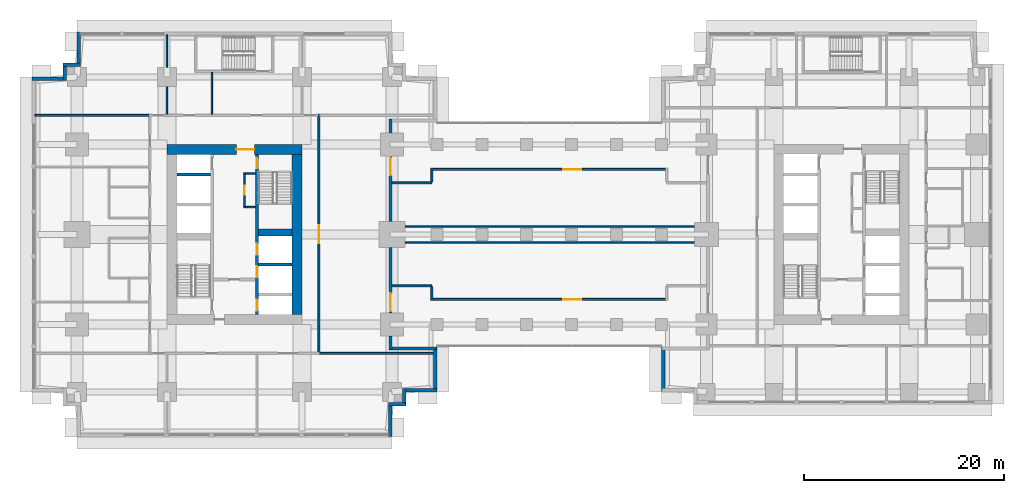
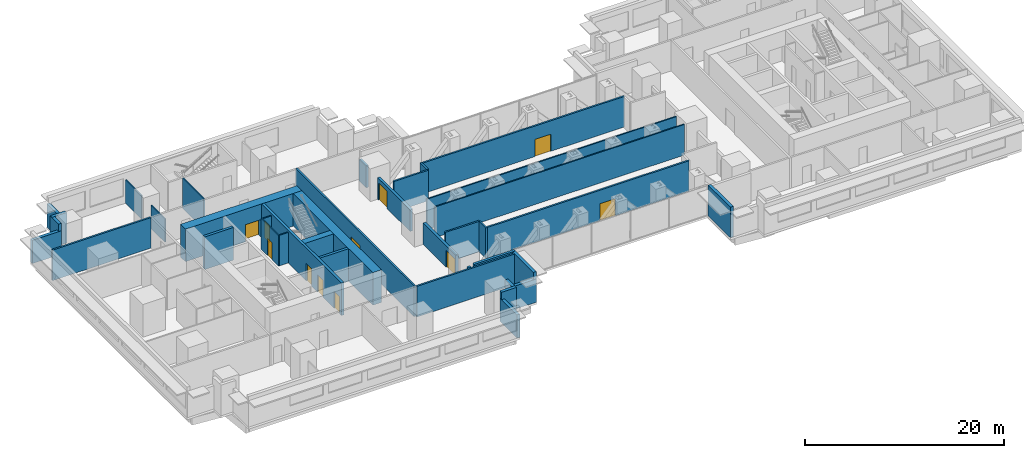
# One storey, part 8 of 15: 38 walls, 11 doors, 11 openings.
"""IFC4 building model written with IfcOpenShell, lengths in metres."""

from ifc_helpers import new_model, si_unit, direction, frame, frame_2d, origin, place, context, subcontext, project, spatial, rectangle, extrude, material, layer, layer_set, type_object, element, fill, save


model = new_model("IFC4")

# Units and contexts
model_context = context("Model", 3, precision=1e-05, world=origin(), true_north=direction((0.0, 1.0)))
body_context = subcontext(model_context, "Body", "Model", "MODEL_VIEW")
ifc_project = project(units=[si_unit("LENGTHUNIT", "METRE"), si_unit("AREAUNIT", "SQUARE_METRE"), si_unit("VOLUMEUNIT", "CUBIC_METRE"), si_unit("PLANEANGLEUNIT", "RADIAN"), si_unit("MASSUNIT", "GRAM", prefix="KILO")], contexts=[model_context])

# Site, building, storey
site_placement = place(None, origin())
site = spatial("IfcSite", under=ifc_project, at=site_placement, CompositionType="ELEMENT")
building_placement = place(site_placement, origin())
building = spatial("IfcBuilding", under=site, at=building_placement, Name="Namib Vertical Campus", CompositionType="ELEMENT")
storey_placement = place(building_placement, frame((0.0, 0.0, 109.0)))
storey = spatial("IfcBuildingStorey", under=building, at=storey_placement, Name="L25", CompositionType="ELEMENT", Elevation=109.0)

# Wall, openings, doors
ifc_material_1 = material(Name="Concrete C60/75", Category="concrete")
ifc_layer_1 = layer(ifc_material_1, 0.300048828125)
ifc_layer_set_1 = layer_set([ifc_layer_1], Name="Concrete C60/75")
wall_type_1 = type_object("IfcWallType", Name="Core inner wall 300", PredefinedType="SHEAR", material=ifc_layer_set_1)
wall_1_placement = place(storey_placement, frame((22.5, 12.25, 0.0), z_axis=(0.0, 0.0, 1.0), x_axis=(0.0, 1.0, 0.0)))
wall_1 = element("IfcWall", 1, at=wall_1_placement, inside=storey, type_object=wall_type_1, Name="Core inner wall A L25 W2", PredefinedType="SHEAR", context=body_context, shape_type="SweptSolid", body=[
    extrude(rectangle(XDim=16.0, YDim=0.300048828125, at=frame_2d((8.0, 0.0))), origin(), (0.0, 0.0, 1.0), 4.0),
])
opening_1_placement = place(wall_1_placement, frame((14.60009765625, 0.0, 0.0)))
opening_1 = element("IfcOpeningElement", 2, at=opening_1_placement, cuts=wall_1, Name="Opening FD1", PredefinedType="OPENING", context=body_context, shape_type="SweptSolid", body=[
    extrude(rectangle(XDim=1.0, YDim=2.10009765625, at=frame_2d((0.5, 1.050048828125))), frame((0.0, 0.159912109375, 0.0), z_axis=(0.0, -1.0, 0.0), x_axis=(1.0, 0.0, 0.0)), (0.0, 0.0, 1.0), 0.320068359375),
])
opening_2_placement = place(wall_1_placement, frame((0.375, 0.0, 0.0)))
opening_2 = element("IfcOpeningElement", 3, at=opening_2_placement, cuts=wall_1, Name="Opening LD1", PredefinedType="OPENING", context=body_context, shape_type="SweptSolid", body=[
    extrude(rectangle(XDim=1.10009765625, YDim=2.10009765625, at=frame_2d((0.550048828125, 1.050048828125))), frame((0.0, 0.159912109375, 0.0), z_axis=(0.0, -1.0, 0.0), x_axis=(1.0, 0.0, 0.0)), (0.0, 0.0, 1.0), 0.320068359375),
])
opening_3_placement = place(wall_1_placement, frame((3.699951171875, 0.0, 0.0)))
opening_3 = element("IfcOpeningElement", 4, at=opening_3_placement, cuts=wall_1, Name="Opening LD1", PredefinedType="OPENING", context=body_context, shape_type="SweptSolid", body=[
    extrude(rectangle(XDim=1.10009765625, YDim=2.10009765625, at=frame_2d((0.550048828125, 1.050048828125))), frame((0.0, 0.159912109375, 0.0), z_axis=(0.0, -1.0, 0.0), x_axis=(1.0, 0.0, 0.0)), (0.0, 0.0, 1.0), 0.320068359375),
])
opening_4_placement = place(wall_1_placement, frame((5.949951171875, 0.0, 0.0)))
opening_4 = element("IfcOpeningElement", 5, at=opening_4_placement, cuts=wall_1, Name="Opening LD1", PredefinedType="OPENING", context=body_context, shape_type="SweptSolid", body=[
    extrude(rectangle(XDim=1.10009765625, YDim=2.10009765625, at=frame_2d((0.550048828125, 1.050048828125))), frame((0.0, 0.159912109375, 0.0), z_axis=(0.0, -1.0, 0.0), x_axis=(1.0, 0.0, 0.0)), (0.0, 0.0, 1.0), 0.320068359375),
])
ifc_material_2 = material(Name="Steel fire door", Category="steel")
door_type_1 = type_object("IfcDoorType", Name="Fire door 1000x2100", OperationType="SINGLE_SWING_RIGHT", PredefinedType="DOOR", material=ifc_material_2)
door_1_placement = place(opening_1_placement, frame((1.0, 0.0, 0.0), z_axis=(0.0, 0.0, 1.0), x_axis=(-1.0, 0.0, 0.0)))
door_1 = element("IfcDoor", 6, at=door_1_placement, inside=storey, type_object=door_type_1, Name="Stair door FD1 A L25 S2", OperationType="SINGLE_SWING_LEFT", OverallHeight=2.10009765625, OverallWidth=1.0, PredefinedType="DOOR", context=body_context, shape_type="SweptSolid", body=[
    extrude(rectangle(XDim=1.0, YDim=2.10009765625, at=frame_2d((0.5, 1.050048828125))), frame((0.0, 0.02490234375, 0.0), z_axis=(0.0, -1.0, 0.0), x_axis=(1.0, 0.0, 0.0)), (0.0, 0.0, 1.0), 0.050048828125),
])
fill(opening_1, door_1)
ifc_material_3 = material(Name="Stainless steel lift door", Category="steel")
door_type_2 = type_object("IfcDoorType", Name="Lift landing door 1100x2100", OperationType="DOUBLE_DOOR_SLIDING", PredefinedType="DOOR", material=ifc_material_3)
door_2_placement = place(opening_2_placement, origin())
door_2 = element("IfcDoor", 7, at=door_2_placement, inside=storey, type_object=door_type_2, Name="Lift landing door LD1 A-FL1 L25", OperationType="DOUBLE_DOOR_SLIDING", OverallHeight=2.10009765625, OverallWidth=1.10009765625, PredefinedType="DOOR", context=body_context, shape_type="SweptSolid", body=[
    extrude(rectangle(XDim=1.10009765625, YDim=2.10009765625, at=frame_2d((0.550048828125, 1.050048828125))), frame((0.0, 0.02490234375, 0.0), z_axis=(0.0, -1.0, 0.0), x_axis=(1.0, 0.0, 0.0)), (0.0, 0.0, 1.0), 0.050048828125),
])
fill(opening_2, door_2)
door_3_placement = place(opening_3_placement, origin())
door_3 = element("IfcDoor", 8, at=door_3_placement, inside=storey, type_object=door_type_2, Name="Lift landing door LD1 A-P4 L25", OperationType="DOUBLE_DOOR_SLIDING", OverallHeight=2.10009765625, OverallWidth=1.10009765625, PredefinedType="DOOR", context=body_context, shape_type="SweptSolid", body=[
    extrude(rectangle(XDim=1.10009765625, YDim=2.10009765625, at=frame_2d((0.550048828125, 1.050048828125))), frame((0.0, 0.02490234375, 0.0), z_axis=(0.0, -1.0, 0.0), x_axis=(1.0, 0.0, 0.0)), (0.0, 0.0, 1.0), 0.050048828125),
])
fill(opening_3, door_3)
door_4_placement = place(opening_4_placement, origin())
door_4 = element("IfcDoor", 9, at=door_4_placement, inside=storey, type_object=door_type_2, Name="Lift landing door LD1 A-P5 L25", OperationType="DOUBLE_DOOR_SLIDING", OverallHeight=2.10009765625, OverallWidth=1.10009765625, PredefinedType="DOOR", context=body_context, shape_type="SweptSolid", body=[
    extrude(rectangle(XDim=1.10009765625, YDim=2.10009765625, at=frame_2d((0.550048828125, 1.050048828125))), frame((0.0, 0.02490234375, 0.0), z_axis=(0.0, -1.0, 0.0), x_axis=(1.0, 0.0, 0.0)), (0.0, 0.0, 1.0), 0.050048828125),
])
fill(opening_4, door_4)

# Walls
for number, where, z_axis, x_axis, name in (
    (10, (22.64990234375, 17.25, 0.0), (0.0, 0.0, 1.0), (1.0, 0.0, 0.0), "Core inner wall A L25 W6"),
    (11, (14.5, 26.25, 0.0), (0.0, 0.0, 1.0), (1.0, 0.0, 0.0), "Core inner wall A L25 W9"),
):
    element("IfcWall", number, at=place(storey_placement, frame(where, z_axis=z_axis, x_axis=x_axis)), inside=storey, type_object=wall_type_1, Name=name, PredefinedType="SHEAR", context=body_context, shape_type="SweptSolid", body=[
        extrude(rectangle(XDim=3.35009765625, YDim=0.300048828125, at=frame_2d((1.675048828125, 0.0))), origin(), (0.0, 0.0, 1.0), 4.0),
    ])
ifc_material_4 = material(Name="Concrete C60/75", Category="concrete")
ifc_layer_2 = layer(ifc_material_4, 0.699951171875)
ifc_layer_set_2 = layer_set([ifc_layer_2], Name="Concrete C60/75")
wall_type_2 = type_object("IfcWallType", Name="Core shear wall 700", PredefinedType="SHEAR", material=ifc_layer_set_2)
wall_2_placement = place(storey_placement, frame((22.64990234375, 20.449951171875, 0.0), z_axis=(0.0, 0.0, 1.0), x_axis=(1.0, 0.0, 0.0)))
element("IfcWall", 12, at=wall_2_placement, inside=storey, type_object=wall_type_2, Name="Core shear wall A L25 W7", PredefinedType="SHEAR", context=body_context, shape_type="SweptSolid", body=[
    extrude(rectangle(XDim=3.35009765625, YDim=0.699951171875, at=frame_2d((1.675048828125, 0.0))), origin(), (0.0, 0.0, 1.0), 4.0),
])
ifc_material_5 = material(Name="Concrete C60/75", Category="concrete")
ifc_layer_3 = layer(ifc_material_5, 1.0)
ifc_layer_set_3 = layer_set([ifc_layer_3], Name="Concrete C60/75")
wall_type_3 = type_object("IfcWallType", Name="Core wall 1000", PredefinedType="SHEAR", material=ifc_layer_set_3)
wall_3_placement = place(storey_placement, frame((26.5, 12.25, 0.0), z_axis=(0.0, 0.0, 1.0), x_axis=(0.0, 1.0, 0.0)))
element("IfcWall", 13, at=wall_3_placement, inside=storey, type_object=wall_type_3, Name="Core wall A L25 2", PredefinedType="SHEAR", context=body_context, shape_type="SweptSolid", body=[
    extrude(rectangle(XDim=16.0, YDim=1.0, at=frame_2d((8.0, 0.0))), origin(), (0.0, 0.0, 1.0), 4.0),
])

# Wall, opening, door
wall_4_placement = place(storey_placement, frame((27.0, 28.75, 0.0), z_axis=(0.0, 0.0, 1.0), x_axis=(-1.0, 0.0, 0.0)))
wall_4 = element("IfcWall", 14, at=wall_4_placement, inside=storey, type_object=wall_type_3, Name="Core wall A L25 3", PredefinedType="SHEAR", context=body_context, shape_type="SweptSolid", body=[
    extrude(rectangle(XDim=13.5, YDim=1.0, at=frame_2d((6.75, 0.0))), origin(), (0.0, 0.0, 1.0), 4.0),
])
opening_5_placement = place(wall_4_placement, frame((4.75, 0.0, 0.0)))
opening_5 = element("IfcOpeningElement", 15, at=opening_5_placement, cuts=wall_4, Name="Opening FD2", PredefinedType="OPENING", context=body_context, shape_type="SweptSolid", body=[
    extrude(rectangle(XDim=1.800048828125, YDim=2.10009765625, at=frame_2d((0.89990234375, 1.050048828125))), frame((0.0, 0.510009765625, 0.0), z_axis=(0.0, -1.0, 0.0), x_axis=(1.0, 0.0, 0.0)), (0.0, 0.0, 1.0), 1.02001953125),
])
ifc_material_6 = material(Name="Steel fire door", Category="steel")
door_type_3 = type_object("IfcDoorType", Name="Fire door double 1800x2100", OperationType="DOUBLE_DOOR_SINGLE_SWING", PredefinedType="DOOR", material=ifc_material_6)
door_5_placement = place(opening_5_placement, origin())
door_5 = element("IfcDoor", 16, at=door_5_placement, inside=storey, type_object=door_type_3, Name="Lift lobby door FD2 A L25", OperationType="DOUBLE_DOOR_SINGLE_SWING", OverallHeight=2.10009765625, OverallWidth=1.800048828125, PredefinedType="DOOR", context=body_context, shape_type="SweptSolid", body=[
    extrude(rectangle(XDim=1.800048828125, YDim=2.10009765625, at=frame_2d((0.89990234375, 1.050048828125))), frame((0.0, 0.02490234375, 0.0), z_axis=(0.0, -1.0, 0.0), x_axis=(1.0, 0.0, 0.0)), (0.0, 0.0, 1.0), 0.050048828125),
])
fill(opening_5, door_5)

ifc_material_7 = material(Name="Concrete masonry", Category="masonry")
ifc_layer_4 = layer(ifc_material_7, 0.199951171875)
ifc_layer_set_4 = layer_set([ifc_layer_4], Name="Corridor wall 200")
wall_type_4 = type_object("IfcWallType", Name="Corridor wall 200", PredefinedType="SOLIDWALL", material=ifc_layer_set_4)
wall_5_placement = place(storey_placement, frame((28.699951171875, 8.449951171875, 0.0), z_axis=(0.0, 0.0, 1.0), x_axis=(0.0, 1.0, 0.0)))
wall_5 = element("IfcWall", 17, at=wall_5_placement, inside=storey, type_object=wall_type_4, Name="Corridor wall A L25 CE", PredefinedType="SOLIDWALL", context=body_context, shape_type="SweptSolid", body=[
    extrude(rectangle(XDim=23.800048828125, YDim=0.199951171875, at=frame_2d((11.89990234375, 0.0))), origin(), (0.0, 0.0, 1.0), 3.75),
])
opening_6_placement = place(wall_5_placement, frame((10.89990234375, 0.0, 0.0)))
opening_6 = element("IfcOpeningElement", 18, at=opening_6_placement, cuts=wall_5, Name="Opening FD2", PredefinedType="OPENING", context=body_context, shape_type="SweptSolid", body=[
    extrude(rectangle(XDim=1.800048828125, YDim=2.10009765625, at=frame_2d((0.89990234375, 1.050048828125))), frame((0.0, 0.10986328125, 0.0), z_axis=(0.0, -1.0, 0.0), x_axis=(1.0, 0.0, 0.0)), (0.0, 0.0, 1.0), 0.219970703125),
])
door_6_placement = place(opening_6_placement, origin())
door_6 = element("IfcDoor", 19, at=door_6_placement, inside=storey, type_object=door_type_3, Name="Door FD2 A25-04", OperationType="DOUBLE_DOOR_SINGLE_SWING", OverallHeight=2.10009765625, OverallWidth=1.800048828125, PredefinedType="DOOR", context=body_context, shape_type="SweptSolid", body=[
    extrude(rectangle(XDim=1.800048828125, YDim=2.10009765625, at=frame_2d((0.89990234375, 1.050048828125))), frame((0.0, 0.02490234375, 0.0), z_axis=(0.0, -1.0, 0.0), x_axis=(1.0, 0.0, 0.0)), (0.0, 0.0, 1.0), 0.050048828125),
])
fill(opening_6, door_6)

# Walls
for number, where, z_axis, x_axis, name in (
    (20, (28.800048828125, 8.35009765625, 0.0), (0.0, 0.0, 1.0), (1.0, 0.0, 0.0), "Partition A L25 BSE"),
    (21, (0.300048828125, 32.14990234375, 0.0), (0.0, 0.0, 1.0), (1.0, 0.0, 0.0), "Partition A L25 BNW"),
):
    element("IfcWall", number, at=place(storey_placement, frame(where, z_axis=z_axis, x_axis=x_axis)), inside=storey, type_object=wall_type_4, Name=name, PredefinedType="SOLIDWALL", context=body_context, shape_type="SweptSolid", body=[
        extrude(rectangle(XDim=11.39990234375, YDim=0.199951171875, at=frame_2d((5.699951171875, 0.0))), origin(), (0.0, 0.0, 1.0), 3.75),
    ])

# Wall, opening, door
wall_6_placement = place(storey_placement, frame((40.0, 13.75, 0.0), z_axis=(0.0, 0.0, 1.0), x_axis=(1.0, 0.0, 0.0)))
wall_6 = element("IfcWall", 22, at=wall_6_placement, inside=storey, type_object=wall_type_4, Name="Corridor wall L25", PredefinedType="SOLIDWALL", context=body_context, shape_type="SweptSolid", body=[
    extrude(rectangle(XDim=23.5, YDim=0.199951171875, at=frame_2d((11.75, 0.0))), origin(), (0.0, 0.0, 1.0), 3.75),
])
opening_7_placement = place(wall_6_placement, frame((13.14990234375, 0.0, 0.0)))
opening_7 = element("IfcOpeningElement", 23, at=opening_7_placement, cuts=wall_6, Name="Opening CD2", PredefinedType="OPENING", context=body_context, shape_type="SweptSolid", body=[
    extrude(rectangle(XDim=1.800048828125, YDim=2.10009765625, at=frame_2d((0.89990234375, 1.050048828125))), frame((0.0, 0.10986328125, 0.0), z_axis=(0.0, -1.0, 0.0), x_axis=(1.0, 0.0, 0.0)), (0.0, 0.0, 1.0), 0.219970703125),
])
ifc_material_8 = material(Name="Timber fire door leaf", Category="wood")
door_type_4 = type_object("IfcDoorType", Name="Corridor door double 1800x2100 20 min", OperationType="DOUBLE_DOOR_SINGLE_SWING", PredefinedType="DOOR", material=ifc_material_8)
door_7_placement = place(opening_7_placement, origin())
door_7 = element("IfcDoor", 24, at=door_7_placement, inside=storey, type_object=door_type_4, Name="Door CD2 BR25-03", OperationType="DOUBLE_DOOR_SINGLE_SWING", OverallHeight=2.10009765625, OverallWidth=1.800048828125, PredefinedType="DOOR", context=body_context, shape_type="SweptSolid", body=[
    extrude(rectangle(XDim=1.800048828125, YDim=2.10009765625, at=frame_2d((0.89990234375, 1.050048828125))), frame((0.0, 0.02490234375, 0.0), z_axis=(0.0, -1.0, 0.0), x_axis=(1.0, 0.0, 0.0)), (0.0, 0.0, 1.0), 0.050048828125),
])
fill(opening_7, door_7)

# Walls
wall_7_placement = place(storey_placement, frame((36.0, 15.10009765625, 0.0), z_axis=(0.0, 0.0, 1.0), x_axis=(1.0, 0.0, 0.0)))
element("IfcWall", 25, at=wall_7_placement, inside=storey, type_object=wall_type_4, Name="Lobby wall L25 W", PredefinedType="SOLIDWALL", context=body_context, shape_type="SweptSolid", body=[
    extrude(rectangle(XDim=4.0, YDim=0.199951171875, at=frame_2d((2.0, 0.0))), origin(), (0.0, 0.0, 1.0), 3.75),
])
wall_8_placement = place(storey_placement, frame((40.0, 13.64990234375, 0.0), z_axis=(0.0, 0.0, 1.0), x_axis=(0.0, 1.0, 0.0)))
element("IfcWall", 26, at=wall_8_placement, inside=storey, type_object=wall_type_4, Name="Lobby side wall L25 W", PredefinedType="SOLIDWALL", context=body_context, shape_type="SweptSolid", body=[
    extrude(rectangle(XDim=1.35009765625, YDim=0.199951171875, at=frame_2d((0.675048828125, 0.0))), origin(), (0.0, 0.0, 1.0), 3.75),
])

# Wall, opening, door
wall_9_placement = place(storey_placement, frame((40.0, 26.75, 0.0), z_axis=(0.0, 0.0, 1.0), x_axis=(1.0, 0.0, 0.0)))
wall_9 = element("IfcWall", 27, at=wall_9_placement, inside=storey, type_object=wall_type_4, Name="North corridor wall L25", PredefinedType="SOLIDWALL", context=body_context, shape_type="SweptSolid", body=[
    extrude(rectangle(XDim=23.5, YDim=0.199951171875, at=frame_2d((11.75, 0.0))), origin(), (0.0, 0.0, 1.0), 3.75),
])
opening_8_placement = place(wall_9_placement, frame((13.14990234375, 0.0, 0.0)))
opening_8 = element("IfcOpeningElement", 28, at=opening_8_placement, cuts=wall_9, Name="Opening CD2", PredefinedType="OPENING", context=body_context, shape_type="SweptSolid", body=[
    extrude(rectangle(XDim=1.800048828125, YDim=2.10009765625, at=frame_2d((0.89990234375, 1.050048828125))), frame((0.0, 0.10986328125, 0.0), z_axis=(0.0, -1.0, 0.0), x_axis=(1.0, 0.0, 0.0)), (0.0, 0.0, 1.0), 0.219970703125),
])
door_8_placement = place(opening_8_placement, frame((1.800048828125, 0.0, 0.0), z_axis=(0.0, 0.0, 1.0), x_axis=(-1.0, 0.0, 0.0)))
door_8 = element("IfcDoor", 29, at=door_8_placement, inside=storey, type_object=door_type_4, Name="Door CD2 BR25-04", OperationType="DOUBLE_DOOR_SINGLE_SWING", OverallHeight=2.10009765625, OverallWidth=1.800048828125, PredefinedType="DOOR", context=body_context, shape_type="SweptSolid", body=[
    extrude(rectangle(XDim=1.800048828125, YDim=2.10009765625, at=frame_2d((0.89990234375, 1.050048828125))), frame((0.0, 0.02490234375, 0.0), z_axis=(0.0, -1.0, 0.0), x_axis=(1.0, 0.0, 0.0)), (0.0, 0.0, 1.0), 0.050048828125),
])
fill(opening_8, door_8)

# Walls
wall_10_placement = place(storey_placement, frame((36.0, 25.39990234375, 0.0), z_axis=(0.0, 0.0, 1.0), x_axis=(1.0, 0.0, 0.0)))
element("IfcWall", 30, at=wall_10_placement, inside=storey, type_object=wall_type_4, Name="Lobby wall L25 NW", PredefinedType="SOLIDWALL", context=body_context, shape_type="SweptSolid", body=[
    extrude(rectangle(XDim=4.0, YDim=0.199951171875, at=frame_2d((2.0, 0.0))), origin(), (0.0, 0.0, 1.0), 3.75),
])
wall_11_placement = place(storey_placement, frame((40.0, 26.85009765625, 0.0), z_axis=(0.0, 0.0, 1.0), x_axis=(0.0, -1.0, 0.0)))
element("IfcWall", 31, at=wall_11_placement, inside=storey, type_object=wall_type_4, Name="Lobby side wall L25 NW", PredefinedType="SOLIDWALL", context=body_context, shape_type="SweptSolid", body=[
    extrude(rectangle(XDim=1.35009765625, YDim=0.199951171875, at=frame_2d((0.675048828125, 0.0))), origin(), (0.0, 0.0, 1.0), 3.75),
])
ifc_material_9 = material(Name="Concrete C40/50", Category="concrete")
ifc_layer_5 = layer(ifc_material_9, 0.35009765625)
ifc_layer_set_5 = layer_set([ifc_layer_5], Name="Concrete C40/50")
wall_type_5 = type_object("IfcWallType", Name="External wall 350 bush-hammered concrete", PredefinedType="STANDARD", material=ifc_layer_set_5)
wall_12_placement = place(storey_placement, frame((35.824951171875, 0.02001953125, 0.0), z_axis=(0.0, 0.0, 1.0), x_axis=(0.0, 1.0, 0.0)))
element("IfcWall", 32, at=wall_12_placement, inside=storey, type_object=wall_type_5, Name="External wall L25 F03", PredefinedType="STANDARD", context=body_context, shape_type="SweptSolid", body=[
    extrude(rectangle(XDim=3.409912109375, YDim=0.35009765625, at=frame_2d((1.705078125, 0.0))), origin(), (0.0, 0.0, 1.0), 2.85009765625),
])
for number, where, z_axis, x_axis, name in (
    (33, (35.669921875, 3.27490234375, 0.0), (0.0, 0.0, 1.0), (1.0, 0.0, 0.0), "External wall L25 F04"),
    (34, (37.22509765625, 3.1201171875, 0.0), (0.0, 0.0, 1.0), (0.0, 1.0, 0.0), "External wall L25 F05"),
):
    element("IfcWall", number, at=place(storey_placement, frame(where, z_axis=z_axis, x_axis=x_axis)), inside=storey, type_object=wall_type_5, Name=name, PredefinedType="STANDARD", context=body_context, shape_type="SweptSolid", body=[
        extrude(rectangle(XDim=1.7099609375, YDim=0.35009765625, at=frame_2d((0.85498046875, 0.0))), origin(), (0.0, 0.0, 1.0), 3.75),
    ])
wall_13_placement = place(storey_placement, frame((37.070068359375, 4.675048828125, 0.0), z_axis=(0.0, 0.0, 1.0), x_axis=(1.0, 0.0, 0.0)))
element("IfcWall", 35, at=wall_13_placement, inside=storey, type_object=wall_type_5, Name="External wall L25 F06", PredefinedType="STANDARD", context=body_context, shape_type="SweptSolid", body=[
    extrude(rectangle(XDim=3.409912109375, YDim=0.35009765625, at=frame_2d((1.705078125, 0.0))), origin(), (0.0, 0.0, 1.0), 2.85009765625),
])
wall_14_placement = place(storey_placement, frame((40.324951171875, 4.52001953125, 0.0), z_axis=(0.0, 0.0, 1.0), x_axis=(0.0, 1.0, 0.0)))
element("IfcWall", 36, at=wall_14_placement, inside=storey, type_object=wall_type_5, Name="External wall L25 F07", PredefinedType="STANDARD", context=body_context, shape_type="SweptSolid", body=[
    extrude(rectangle(XDim=4.4599609375, YDim=0.35009765625, at=frame_2d((2.22998046875, 0.0))), origin(), (0.0, 0.0, 1.0), 3.75),
])
wall_15_placement = place(storey_placement, frame((4.675048828125, 40.47998046875, 0.0), z_axis=(0.0, 0.0, 1.0), x_axis=(0.0, -1.0, 0.0)))
element("IfcWall", 37, at=wall_15_placement, inside=storey, type_object=wall_type_5, Name="External wall L25 F17", PredefinedType="STANDARD", context=body_context, shape_type="SweptSolid", body=[
    extrude(rectangle(XDim=3.409912109375, YDim=0.35009765625, at=frame_2d((1.705078125, 0.0))), origin(), (0.0, 0.0, 1.0), 2.85009765625),
])
for number, where, z_axis, x_axis, name in (
    (38, (4.830078125, 37.22509765625, 0.0), (0.0, 0.0, 1.0), (-1.0, 0.0, 0.0), "External wall L25 F18"),
    (39, (3.27490234375, 37.3798828125, 0.0), (0.0, 0.0, 1.0), (0.0, -1.0, 0.0), "External wall L25 F19"),
):
    element("IfcWall", number, at=place(storey_placement, frame(where, z_axis=z_axis, x_axis=x_axis)), inside=storey, type_object=wall_type_5, Name=name, PredefinedType="STANDARD", context=body_context, shape_type="SweptSolid", body=[
        extrude(rectangle(XDim=1.7099609375, YDim=0.35009765625, at=frame_2d((0.85498046875, 0.0))), origin(), (0.0, 0.0, 1.0), 3.75),
    ])
wall_16_placement = place(storey_placement, frame((3.429931640625, 35.824951171875, 0.0), z_axis=(0.0, 0.0, 1.0), x_axis=(-1.0, 0.0, 0.0)))
element("IfcWall", 40, at=wall_16_placement, inside=storey, type_object=wall_type_5, Name="External wall L25 F20", PredefinedType="STANDARD", context=body_context, shape_type="SweptSolid", body=[
    extrude(rectangle(XDim=3.409912109375, YDim=0.35009765625, at=frame_2d((1.705078125, 0.0))), origin(), (0.0, 0.0, 1.0), 2.85009765625),
])
wall_17_placement = place(storey_placement, frame((63.175048828125, 8.97998046875, 0.0), z_axis=(0.0, 0.0, 1.0), x_axis=(0.0, -1.0, 0.0)))
element("IfcWall", 41, at=wall_17_placement, inside=storey, type_object=wall_type_5, Name="External wall L25 F01", PredefinedType="STANDARD", context=body_context, shape_type="SweptSolid", body=[
    extrude(rectangle(XDim=4.4599609375, YDim=0.35009765625, at=frame_2d((2.22998046875, 0.0))), origin(), (0.0, 0.0, 1.0), 3.75),
])
ifc_material_10 = material(Name="Concrete masonry", Category="masonry")
ifc_layer_6 = layer(ifc_material_10, 0.300048828125)
ifc_layer_set_6 = layer_set([ifc_layer_6], Name="Fire wall 300")
wall_type_6 = type_object("IfcWallType", Name="Fire wall 300", PredefinedType="SOLIDWALL", material=ifc_layer_set_6)
wall_18_placement = place(storey_placement, frame((40.47998046875, 8.85009765625, 0.0), z_axis=(0.0, 0.0, 1.0), x_axis=(-1.0, 0.0, 0.0)))
element("IfcWall", 42, at=wall_18_placement, inside=storey, type_object=wall_type_6, Name="External wall L25 F08", PredefinedType="SOLIDWALL", context=body_context, shape_type="SweptSolid", body=[
    extrude(rectangle(XDim=4.760009765625, YDim=0.300048828125, at=frame_2d((2.3798828125, 0.0))), origin(), (0.0, 0.0, 1.0), 3.75),
])
wall_19_placement = place(storey_placement, frame((35.85009765625, 8.719970703125, 0.0), z_axis=(0.0, 0.0, 1.0), x_axis=(0.0, 1.0, 0.0)))
element("IfcWall", 43, at=wall_19_placement, inside=storey, type_object=wall_type_6, Name="External wall L25 F09", PredefinedType="SOLIDWALL", context=body_context, shape_type="SweptSolid", body=[
    extrude(rectangle(XDim=1.380126953125, YDim=0.300048828125, at=frame_2d((0.68994140625, 0.0))), origin(), (0.0, 0.0, 1.0), 2.64990234375),
])

# Wall, opening, door
wall_20_placement = place(storey_placement, frame((35.85009765625, 12.39990234375, 0.0), z_axis=(0.0, 0.0, 1.0), x_axis=(0.0, 1.0, 0.0)))
wall_20 = element("IfcWall", 44, at=wall_20_placement, inside=storey, type_object=wall_type_6, Name="External wall L25 F09", PredefinedType="SOLIDWALL", context=body_context, shape_type="SweptSolid", body=[
    extrude(rectangle(XDim=6.550048828125, YDim=0.300048828125, at=frame_2d((3.27490234375, 0.0))), origin(), (0.0, 0.0, 1.0), 2.64990234375),
])
opening_9_placement = place(wall_20_placement, frame((0.14990234375, 0.0, 0.0)))
opening_9 = element("IfcOpeningElement", 45, at=opening_9_placement, cuts=wall_20, Name="Opening FD4", PredefinedType="OPENING", context=body_context, shape_type="SweptSolid", body=[
    extrude(rectangle(XDim=1.800048828125, YDim=2.10009765625, at=frame_2d((0.89990234375, 1.050048828125))), frame((0.0, 0.159912109375, 0.0), z_axis=(0.0, -1.0, 0.0), x_axis=(1.0, 0.0, 0.0)), (0.0, 0.0, 1.0), 0.320068359375),
])
ifc_material_11 = material(Name="Steel fire door", Category="steel")
door_type_5 = type_object("IfcDoorType", Name="Fire door double 1800x2100 120 min", OperationType="DOUBLE_DOOR_SINGLE_SWING", PredefinedType="DOOR", material=ifc_material_11)
door_9_placement = place(opening_9_placement, origin())
door_9 = element("IfcDoor", 46, at=door_9_placement, inside=storey, type_object=door_type_5, Name="Bridge fire door FD4 A L25", OperationType="DOUBLE_DOOR_SINGLE_SWING", OverallHeight=2.10009765625, OverallWidth=1.800048828125, PredefinedType="DOOR", context=body_context, shape_type="SweptSolid", body=[
    extrude(rectangle(XDim=1.800048828125, YDim=2.10009765625, at=frame_2d((0.89990234375, 1.050048828125))), frame((0.0, 0.02490234375, 0.0), z_axis=(0.0, -1.0, 0.0), x_axis=(1.0, 0.0, 0.0)), (0.0, 0.0, 1.0), 0.050048828125),
])
fill(opening_9, door_9)

wall_21_placement = place(storey_placement, frame((35.85009765625, 21.550048828125, 0.0), z_axis=(0.0, 0.0, 1.0), x_axis=(0.0, 1.0, 0.0)))
wall_21 = element("IfcWall", 47, at=wall_21_placement, inside=storey, type_object=wall_type_6, Name="External wall L25 F09", PredefinedType="SOLIDWALL", context=body_context, shape_type="SweptSolid", body=[
    extrude(rectangle(XDim=6.550048828125, YDim=0.300048828125, at=frame_2d((3.27490234375, 0.0))), origin(), (0.0, 0.0, 1.0), 2.64990234375),
])
opening_10_placement = place(wall_21_placement, frame((4.60009765625, 0.0, 0.0)))
opening_10 = element("IfcOpeningElement", 48, at=opening_10_placement, cuts=wall_21, Name="Opening FD4", PredefinedType="OPENING", context=body_context, shape_type="SweptSolid", body=[
    extrude(rectangle(XDim=1.800048828125, YDim=2.10009765625, at=frame_2d((0.89990234375, 1.050048828125))), frame((0.0, 0.159912109375, 0.0), z_axis=(0.0, -1.0, 0.0), x_axis=(1.0, 0.0, 0.0)), (0.0, 0.0, 1.0), 0.320068359375),
])
door_10_placement = place(opening_10_placement, origin())
door_10 = element("IfcDoor", 49, at=door_10_placement, inside=storey, type_object=door_type_5, Name="Bridge fire door FD4 A L25 north", OperationType="DOUBLE_DOOR_SINGLE_SWING", OverallHeight=2.10009765625, OverallWidth=1.800048828125, PredefinedType="DOOR", context=body_context, shape_type="SweptSolid", body=[
    extrude(rectangle(XDim=1.800048828125, YDim=2.10009765625, at=frame_2d((0.89990234375, 1.050048828125))), frame((0.0, 0.02490234375, 0.0), z_axis=(0.0, -1.0, 0.0), x_axis=(1.0, 0.0, 0.0)), (0.0, 0.0, 1.0), 0.050048828125),
])
fill(opening_10, door_10)

# Wall
wall_22_placement = place(storey_placement, frame((35.85009765625, 30.39990234375, 0.0), z_axis=(0.0, 0.0, 1.0), x_axis=(0.0, 1.0, 0.0)))
element("IfcWall", 50, at=wall_22_placement, inside=storey, type_object=wall_type_6, Name="External wall L25 F09", PredefinedType="SOLIDWALL", context=body_context, shape_type="SweptSolid", body=[
    extrude(rectangle(XDim=1.380126953125, YDim=0.300048828125, at=frame_2d((0.68994140625, 0.0))), origin(), (0.0, 0.0, 1.0), 2.64990234375),
])

# Wall, opening, door
ifc_material_12 = material(Name="Gypsum board on steel studs", Category="steel")
ifc_layer_7 = layer(ifc_material_12, 0.14990234375)
ifc_layer_set_7 = layer_set([ifc_layer_7], Name="Gypsum board on steel studs")
wall_type_7 = type_object("IfcWallType", Name="Partition 150", PredefinedType="PARTITIONING", material=ifc_layer_set_7)
wall_23_placement = place(storey_placement, frame((21.27490234375, 22.89990234375, 0.0), z_axis=(0.0, 0.0, 1.0), x_axis=(0.0, 1.0, 0.0)))
wall_23 = element("IfcWall", 51, at=wall_23_placement, inside=storey, type_object=wall_type_7, Name="Partition A L25 Staff pantry front", PredefinedType="PARTITIONING", context=body_context, shape_type="SweptSolid", body=[
    extrude(rectangle(XDim=3.5, YDim=0.14990234375, at=frame_2d((1.75, 0.0))), origin(), (0.0, 0.0, 1.0), 3.75),
])
opening_11_placement = place(wall_23_placement, frame((1.300048828125, 0.0, 0.0)))
opening_11 = element("IfcOpeningElement", 52, at=opening_11_placement, cuts=wall_23, Name="Opening D3", PredefinedType="OPENING", context=body_context, shape_type="SweptSolid", body=[
    extrude(rectangle(XDim=0.89990234375, YDim=2.10009765625, at=frame_2d((0.449951171875, 1.050048828125))), frame((0.0, 0.0849609375, 0.0), z_axis=(0.0, -1.0, 0.0), x_axis=(1.0, 0.0, 0.0)), (0.0, 0.0, 1.0), 0.169921875),
])
ifc_material_13 = material(Name="Timber door leaf", Category="wood")
door_type_6 = type_object("IfcDoorType", Name="Toilet door 900x2100", OperationType="SINGLE_SWING_LEFT", PredefinedType="DOOR", material=ifc_material_13)
door_11_placement = place(opening_11_placement, frame((0.89990234375, 0.0, 0.0), z_axis=(0.0, 0.0, 1.0), x_axis=(-1.0, 0.0, 0.0)))
door_11 = element("IfcDoor", 53, at=door_11_placement, inside=storey, type_object=door_type_6, Name="Door D3 Staff pantry A L25", OperationType="SINGLE_SWING_RIGHT", OverallHeight=2.10009765625, OverallWidth=0.89990234375, PredefinedType="DOOR", context=body_context, shape_type="SweptSolid", body=[
    extrude(rectangle(XDim=0.89990234375, YDim=2.10009765625, at=frame_2d((0.449951171875, 1.050048828125))), frame((0.0, 0.02490234375, 0.0), z_axis=(0.0, -1.0, 0.0), x_axis=(1.0, 0.0, 0.0)), (0.0, 0.0, 1.0), 0.050048828125),
])
fill(opening_11, door_11)

# Walls
for number, where, z_axis, x_axis, name in (
    (54, (21.35009765625, 22.97509765625, 0.0), (0.0, 0.0, 1.0), (1.0, 0.0, 0.0), "Partition A L25 Staff pantry end 1"),
    (55, (21.35009765625, 26.324951171875, 0.0), (0.0, 0.0, 1.0), (1.0, 0.0, 0.0), "Partition A L25 Staff pantry end 2"),
):
    element("IfcWall", number, at=place(storey_placement, frame(where, z_axis=z_axis, x_axis=x_axis)), inside=storey, type_object=wall_type_7, Name=name, PredefinedType="PARTITIONING", context=body_context, shape_type="SweptSolid", body=[
        extrude(rectangle(XDim=1.0, YDim=0.14990234375, at=frame_2d((0.5, 0.0))), origin(), (0.0, 0.0, 1.0), 3.75),
    ])
wall_24_placement = place(storey_placement, frame((13.5, 32.25, 0.0), z_axis=(0.0, 0.0, 1.0), x_axis=(0.0, 1.0, 0.0)))
element("IfcWall", 56, at=wall_24_placement, inside=storey, type_object=wall_type_7, Name="Partition A L25 PN1", PredefinedType="PARTITIONING", context=body_context, shape_type="SweptSolid", body=[
    extrude(rectangle(XDim=2.780029296875, YDim=0.14990234375, at=frame_2d((1.39013671875, 0.0))), origin(), (0.0, 0.0, 1.0), 2.85009765625),
])
wall_25_placement = place(storey_placement, frame((13.5, 36.969970703125, 0.0), z_axis=(0.0, 0.0, 1.0), x_axis=(0.0, 1.0, 0.0)))
element("IfcWall", 57, at=wall_25_placement, inside=storey, type_object=wall_type_7, Name="Partition A L25 PN1", PredefinedType="PARTITIONING", context=body_context, shape_type="SweptSolid", body=[
    extrude(rectangle(XDim=3.22998046875, YDim=0.14990234375, at=frame_2d((1.614990234375, 0.0))), origin(), (0.0, 0.0, 1.0), 2.85009765625),
])
wall_26_placement = place(storey_placement, frame((18.0, 32.25, 0.0), z_axis=(0.0, 0.0, 1.0), x_axis=(0.0, 1.0, 0.0)))
element("IfcWall", 58, at=wall_26_placement, inside=storey, type_object=wall_type_7, Name="Partition A L25 PN2", PredefinedType="PARTITIONING", context=body_context, shape_type="SweptSolid", body=[
    extrude(rectangle(XDim=4.199951171875, YDim=0.14990234375, at=frame_2d((2.10009765625, 0.0))), origin(), (0.0, 0.0, 1.0), 3.75),
])
for number, where, z_axis, x_axis, name in (
    (59, (37.320068359375, 19.449951171875, 0.0), (0.0, 0.0, 1.0), (1.0, 0.0, 0.0), "Spine wall L25 S"),
    (60, (37.320068359375, 21.050048828125, 0.0), (0.0, 0.0, 1.0), (1.0, 0.0, 0.0), "Spine wall L25 N"),
):
    element("IfcWall", number, at=place(storey_placement, frame(where, z_axis=z_axis, x_axis=x_axis)), inside=storey, type_object=wall_type_7, Name=name, PredefinedType="PARTITIONING", context=body_context, shape_type="SweptSolid", body=[
        extrude(rectangle(XDim=28.9599609375, YDim=0.14990234375, at=frame_2d((14.47998046875, 0.0))), origin(), (0.0, 0.0, 1.0), 3.75),
    ])

save(model, "model.ifc")
